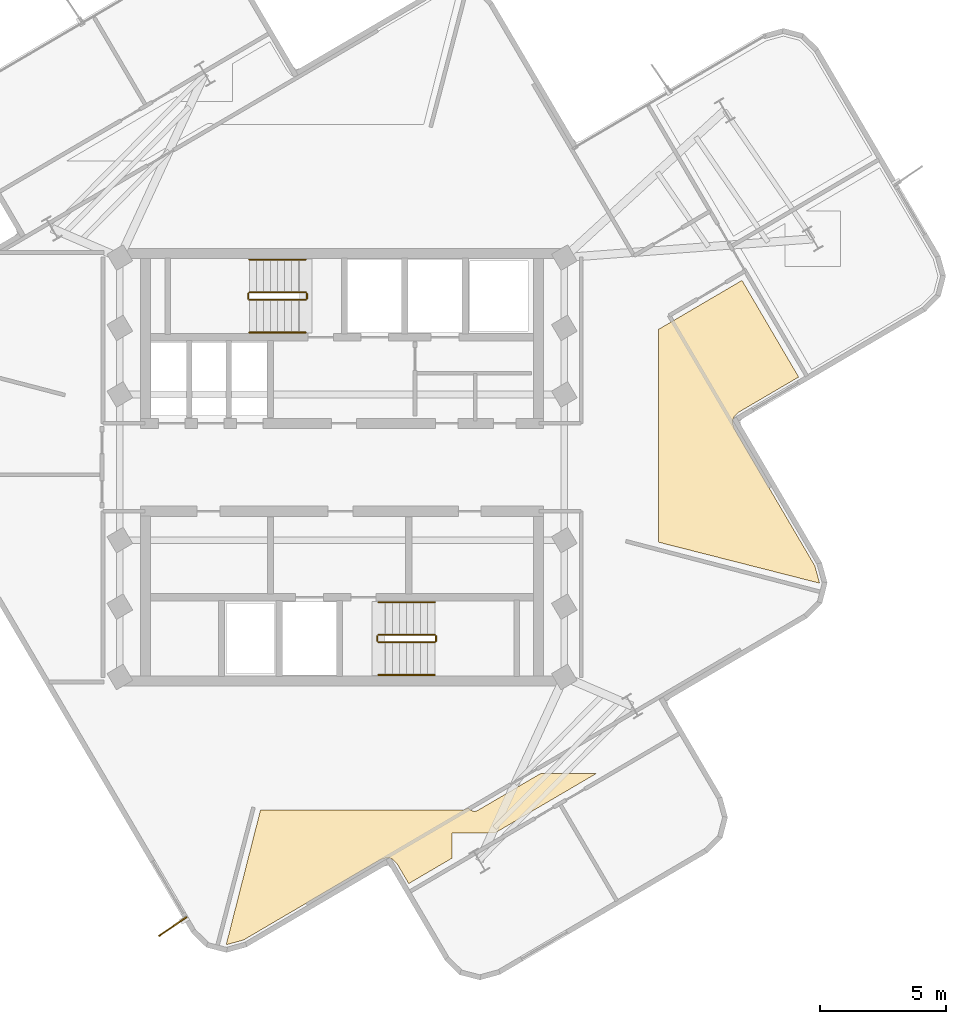
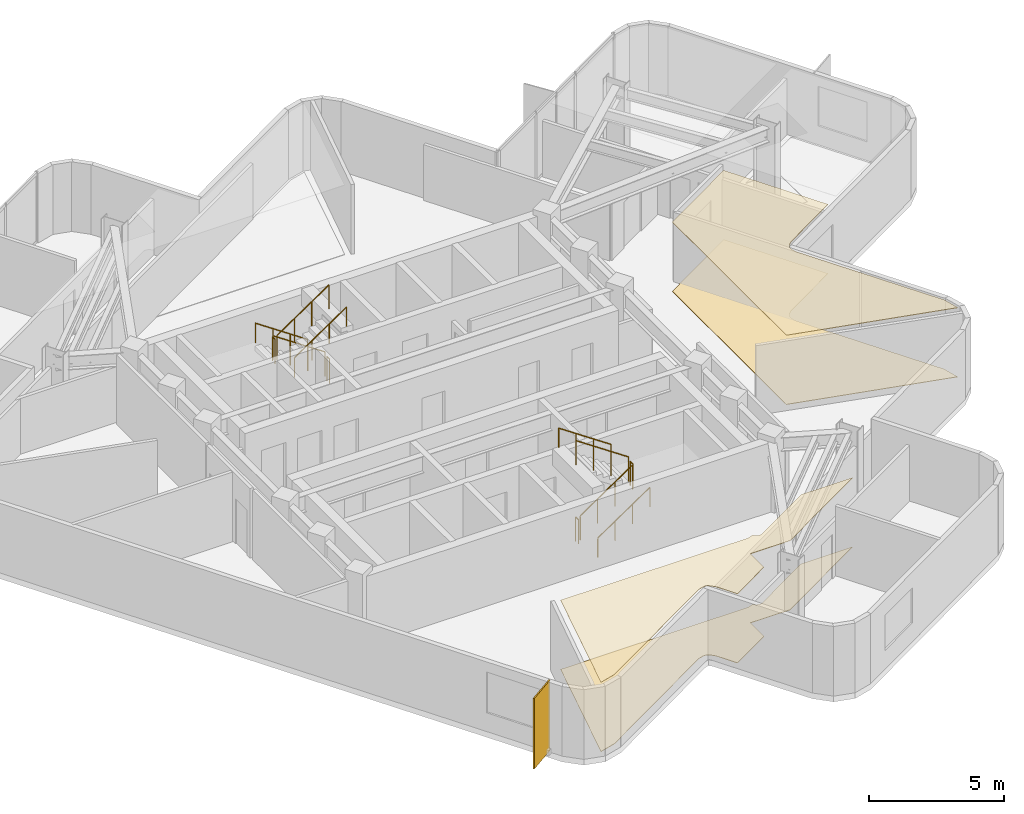
# One storey, part 7 of 8: 12 railings, 4 coverings, 1 shading device.
"""IFC4 building model written with IfcOpenShell, lengths in metres."""

from ifc_helpers import new_model, si_unit, direction, frame, origin, origin_2d, place, context, subcontext, project, spatial, polyline, rectangle, circle, outline, extrude, material, layer, layer_set, type_object, element, save


model = new_model("IFC4")

# Units and contexts
model_context = context("Model", 3, precision=1e-05, world=origin(), true_north=direction((0.0, 1.0)))
body_context = subcontext(model_context, "Body", "Model", "MODEL_VIEW")
ifc_project = project(units=[si_unit("LENGTHUNIT", "METRE"), si_unit("AREAUNIT", "SQUARE_METRE"), si_unit("VOLUMEUNIT", "CUBIC_METRE"), si_unit("PLANEANGLEUNIT", "RADIAN"), si_unit("MASSUNIT", "GRAM", prefix="KILO")], contexts=[model_context])

# Site, building, storey
site_placement = place(None, origin())
site = spatial("IfcSite", under=ifc_project, at=site_placement, CompositionType="ELEMENT")
building_placement = place(site_placement, origin())
building = spatial("IfcBuilding", under=site, at=building_placement, Name="Solmarez Civic Tower", CompositionType="ELEMENT")
storey_placement = place(building_placement, frame((0.0, 0.0, 212.0400390625)))
storey = spatial("IfcBuildingStorey", under=building, at=storey_placement, Name="L56", CompositionType="ELEMENT", Elevation=212.0400390625)

# Coverings
ifc_material_1 = material(Name="Perforated Mineral-Fibre Acoustic Ceiling")
ifc_layer_1 = layer(ifc_material_1, 0.02490234375)
ifc_layer_set_1 = layer_set([ifc_layer_1], Name="Perforated Mineral-Fibre Acoustic Ceiling")
covering_type_1 = type_object("IfcCoveringType", Name="COV-CEIL-ACOUSTIC", PredefinedType="CEILING", material=ifc_layer_set_1)
covering_1_placement = place(storey_placement, frame((0.0, 0.0, 3.135009765625)))
element("IfcCovering", 1, at=covering_1_placement, inside=storey, type_object=covering_type_1, Name="L56 Suspended Acoustic Ceiling 2", PredefinedType="CEILING", context=body_context, shape_type="SweptSolid", body=[
    extrude(outline(polyline([(5.0390625, -13.568115234375), (4.85107421875, -13.635986328125), (4.844970703125, -13.637939453125), (4.818115234375, -13.64501953125), (4.81298828125, -13.64599609375), (4.7919921875, -13.64892578125), (4.77001953125, -13.64990234375), (-3.2490234375, -13.64990234375), (-4.614013671875, -19.010986328125), (-4.60791015625, -19.011962890625), (-3.924072265625, -18.823974609375), (1.510009765625, -15.635986328125), (1.52294921875, -15.62890625), (1.534912109375, -15.623046875), (1.552978515625, -15.614990234375), (1.572998046875, -15.60791015625), (1.5810546875, -15.60595703125), (1.74609375, -15.56005859375), (1.7529296875, -15.55810546875), (1.76904296875, -15.553955078125), (1.785888671875, -15.552001953125), (1.7939453125, -15.551025390625), (1.821044921875, -15.549072265625), (1.827880859375, -15.549072265625), (1.85498046875, -15.551025390625), (1.866943359375, -15.552001953125), (1.8740234375, -15.552978515625), (1.89599609375, -15.55810546875), (1.904052734375, -15.56005859375), (1.910888671875, -15.56103515625), (1.91796875, -15.56298828125), (1.943115234375, -15.572021484375), (1.967041015625, -15.583984375), (1.97412109375, -15.587890625), (1.987060546875, -15.595947265625), (1.992919921875, -15.60009765625), (1.9990234375, -15.60400390625), (2.01806640625, -15.617919921875), (2.02392578125, -15.623046875), (2.0380859375, -15.635986328125), (2.160888671875, -15.757080078125), (2.166015625, -15.761962890625), (2.178955078125, -15.777099609375), (2.18408203125, -15.782958984375), (2.194091796875, -15.797119140625), (2.2041015625, -15.81103515625), (2.2080078125, -15.818115234375), (2.653076171875, -16.576904296875), (4.367919921875, -15.571044921875), (4.367919921875, -14.571044921875), (6.072021484375, -14.571044921875), (10.113037109375, -12.199951171875), (7.89794921875, -12.199951171875), (5.402099609375, -13.6640625), (5.3798828125, -13.675048828125), (5.37109375, -13.678955078125), (5.34912109375, -13.68798828125), (5.324951171875, -13.694091796875), (5.320068359375, -13.695068359375), (5.299072265625, -13.697998046875), (5.277099609375, -13.698974609375), (5.26708984375, -13.698974609375), (5.2451171875, -13.697998046875), (5.22412109375, -13.695068359375), (5.218994140625, -13.694091796875), (5.214111328125, -13.693115234375), (5.205078125, -13.69091796875), (5.18798828125, -13.68603515625), (5.1708984375, -13.679931640625), (5.166015625, -13.677978515625), (5.14794921875, -13.669921875), (5.131103515625, -13.660888671875), (5.123046875, -13.656005859375), (5.10302734375, -13.64111328125), (5.083984375, -13.625), (5.076904296875, -13.617919921875), (5.056884765625, -13.593994140625), (5.051025390625, -13.5859375), (5.0390625, -13.568115234375)])), origin(), (0.0, 0.0, 1.0), 0.02490234375),
])
covering_2_placement = place(storey_placement, frame((0.0, 0.0, 3.135009765625)))
element("IfcCovering", 2, at=covering_2_placement, inside=storey, type_object=covering_type_1, Name="L56 Suspended Acoustic Ceiling 3", PredefinedType="CEILING", context=body_context, shape_type="SweptSolid", body=[
    extrude(outline(polyline([(12.60009765625, 5.490966796875), (12.60009765625, -2.98193359375), (19.010986328125, -4.614013671875), (19.011962890625, -4.60791015625), (18.823974609375, -3.924072265625), (15.635986328125, 1.510009765625), (15.62890625, 1.52294921875), (15.623046875, 1.534912109375), (15.614990234375, 1.552978515625), (15.60791015625, 1.572998046875), (15.60595703125, 1.5810546875), (15.56005859375, 1.74609375), (15.55810546875, 1.7529296875), (15.553955078125, 1.76904296875), (15.552001953125, 1.785888671875), (15.551025390625, 1.7939453125), (15.549072265625, 1.821044921875), (15.549072265625, 1.827880859375), (15.551025390625, 1.85498046875), (15.552001953125, 1.866943359375), (15.552978515625, 1.8740234375), (15.55810546875, 1.89599609375), (15.56005859375, 1.904052734375), (15.56103515625, 1.910888671875), (15.56298828125, 1.91796875), (15.572021484375, 1.943115234375), (15.583984375, 1.967041015625), (15.587890625, 1.97412109375), (15.595947265625, 1.987060546875), (15.60009765625, 1.992919921875), (15.60400390625, 1.9990234375), (15.617919921875, 2.01806640625), (15.623046875, 2.02392578125), (15.635986328125, 2.0380859375), (15.757080078125, 2.160888671875), (15.761962890625, 2.166015625), (15.777099609375, 2.178955078125), (15.782958984375, 2.18408203125), (15.797119140625, 2.194091796875), (15.81103515625, 2.2041015625), (15.818115234375, 2.2080078125), (18.180908203125, 3.593994140625), (15.924072265625, 7.44091796875), (12.60009765625, 5.490966796875)])), origin(), (0.0, 0.0, 1.0), 0.02490234375),
])
ifc_material_2 = material(Name="Polished Tropical Stone Terrazzo Flooring", Category="masonry")
ifc_layer_2 = layer(ifc_material_2, 0.02001953125)
ifc_layer_set_2 = layer_set([ifc_layer_2], Name="Polished Tropical Stone Terrazzo Flooring")
covering_type_2 = type_object("IfcCoveringType", Name="COV-FLOOR-TERRAZZO", PredefinedType="FLOORING", material=ifc_layer_set_2)
covering_3_placement = place(storey_placement, origin())
element("IfcCovering", 3, at=covering_3_placement, inside=storey, type_object=covering_type_2, Name="L56 Terrazzo Floor Finish 2", PredefinedType="FLOORING", context=body_context, shape_type="SweptSolid", body=[
    extrude(outline(polyline([(5.0390625, -13.568115234375), (4.85107421875, -13.635986328125), (4.844970703125, -13.637939453125), (4.818115234375, -13.64501953125), (4.81298828125, -13.64599609375), (4.7919921875, -13.64892578125), (4.77001953125, -13.64990234375), (-3.2490234375, -13.64990234375), (-4.614013671875, -19.010986328125), (-4.60791015625, -19.011962890625), (-3.924072265625, -18.823974609375), (1.510009765625, -15.635986328125), (1.52294921875, -15.62890625), (1.534912109375, -15.623046875), (1.552978515625, -15.614990234375), (1.572998046875, -15.60791015625), (1.5810546875, -15.60595703125), (1.74609375, -15.56005859375), (1.7529296875, -15.55810546875), (1.76904296875, -15.553955078125), (1.785888671875, -15.552001953125), (1.7939453125, -15.551025390625), (1.821044921875, -15.549072265625), (1.827880859375, -15.549072265625), (1.85498046875, -15.551025390625), (1.866943359375, -15.552001953125), (1.8740234375, -15.552978515625), (1.89599609375, -15.55810546875), (1.904052734375, -15.56005859375), (1.910888671875, -15.56103515625), (1.91796875, -15.56298828125), (1.943115234375, -15.572021484375), (1.967041015625, -15.583984375), (1.97412109375, -15.587890625), (1.987060546875, -15.595947265625), (1.992919921875, -15.60009765625), (1.9990234375, -15.60400390625), (2.01806640625, -15.617919921875), (2.02392578125, -15.623046875), (2.0380859375, -15.635986328125), (2.160888671875, -15.757080078125), (2.166015625, -15.761962890625), (2.178955078125, -15.777099609375), (2.18408203125, -15.782958984375), (2.194091796875, -15.797119140625), (2.2041015625, -15.81103515625), (2.2080078125, -15.818115234375), (2.653076171875, -16.576904296875), (4.367919921875, -15.571044921875), (4.367919921875, -14.571044921875), (6.072021484375, -14.571044921875), (10.113037109375, -12.199951171875), (7.89794921875, -12.199951171875), (5.402099609375, -13.6640625), (5.3798828125, -13.675048828125), (5.37109375, -13.678955078125), (5.34912109375, -13.68798828125), (5.324951171875, -13.694091796875), (5.320068359375, -13.695068359375), (5.299072265625, -13.697998046875), (5.277099609375, -13.698974609375), (5.26708984375, -13.698974609375), (5.2451171875, -13.697998046875), (5.22412109375, -13.695068359375), (5.218994140625, -13.694091796875), (5.214111328125, -13.693115234375), (5.205078125, -13.69091796875), (5.18798828125, -13.68603515625), (5.1708984375, -13.679931640625), (5.166015625, -13.677978515625), (5.14794921875, -13.669921875), (5.131103515625, -13.660888671875), (5.123046875, -13.656005859375), (5.10302734375, -13.64111328125), (5.083984375, -13.625), (5.076904296875, -13.617919921875), (5.056884765625, -13.593994140625), (5.051025390625, -13.5859375), (5.0390625, -13.568115234375)])), origin(), (0.0, 0.0, 1.0), 0.02001953125),
])
covering_4_placement = place(storey_placement, origin())
element("IfcCovering", 4, at=covering_4_placement, inside=storey, type_object=covering_type_2, Name="L56 Terrazzo Floor Finish 3", PredefinedType="FLOORING", context=body_context, shape_type="SweptSolid", body=[
    extrude(outline(polyline([(12.60009765625, 5.490966796875), (12.60009765625, -2.98193359375), (19.010986328125, -4.614013671875), (19.011962890625, -4.60791015625), (18.823974609375, -3.924072265625), (15.635986328125, 1.510009765625), (15.62890625, 1.52294921875), (15.623046875, 1.534912109375), (15.614990234375, 1.552978515625), (15.60791015625, 1.572998046875), (15.60595703125, 1.5810546875), (15.56005859375, 1.74609375), (15.55810546875, 1.7529296875), (15.553955078125, 1.76904296875), (15.552001953125, 1.785888671875), (15.551025390625, 1.7939453125), (15.549072265625, 1.821044921875), (15.549072265625, 1.827880859375), (15.551025390625, 1.85498046875), (15.552001953125, 1.866943359375), (15.552978515625, 1.8740234375), (15.55810546875, 1.89599609375), (15.56005859375, 1.904052734375), (15.56103515625, 1.910888671875), (15.56298828125, 1.91796875), (15.572021484375, 1.943115234375), (15.583984375, 1.967041015625), (15.587890625, 1.97412109375), (15.595947265625, 1.987060546875), (15.60009765625, 1.992919921875), (15.60400390625, 1.9990234375), (15.617919921875, 2.01806640625), (15.623046875, 2.02392578125), (15.635986328125, 2.0380859375), (15.757080078125, 2.160888671875), (15.761962890625, 2.166015625), (15.777099609375, 2.178955078125), (15.782958984375, 2.18408203125), (15.797119140625, 2.194091796875), (15.81103515625, 2.2041015625), (15.818115234375, 2.2080078125), (18.180908203125, 3.593994140625), (15.924072265625, 7.44091796875), (12.60009765625, 5.490966796875)])), origin(), (0.0, 0.0, 1.0), 0.02001953125),
])

# Shading device
ifc_material_3 = material(Name="Bronze Anodised Aluminium EN AW-6063 T6", Category="aluminium")
ifc_layer_3 = layer(ifc_material_3, 0.054931640625)
ifc_layer_set_3 = layer_set([ifc_layer_3], Name="Bronze Anodised Aluminium EN AW-6063 T6")
shading_device_type = type_object("IfcShadingDeviceType", Name="FIN-BRONZE-Z56", PredefinedType="USERDEFINED", material=ifc_layer_set_3)
shading_device_placement = place(storey_placement, frame((-6.7470703125, -18.291015625, -0.0400390625), z_axis=(0.0, 0.0, 1.0), x_axis=(-0.826579926202, -0.562819354322, 0.0)))
element("IfcShadingDevice", 5, at=shading_device_placement, inside=storey, type_object=shading_device_type, Name="L56 Anodised Bronze Solar Fin FIN-L56-01", ObjectType="FIN", PredefinedType="USERDEFINED", context=body_context, shape_type="SweptSolid", body=[
    extrude(rectangle(XDim=1.35009765625, YDim=0.054931640625, at=origin_2d()), origin(), (0.0, 0.0, 1.0), 3.199951171875),
])

# Railings
ifc_material_4 = material(Name="Painted Steel Stairwell Safety Guard", Category="steel")
railing_type_1 = type_object("IfcRailingType", Name="GUARD-STAIR-1120", PredefinedType="BALUSTRADE", material=ifc_material_4)
railing_1_placement = place(storey_placement, frame((-1.449951171875, 6.969970703125, 0.18994140625)))
element("IfcRailing", 6, at=railing_1_placement, inside=storey, type_object=railing_type_1, Name="L56 ST-1 stair guard 1", PredefinedType="BALUSTRADE", context=body_context, shape_type="SweptSolid", body=[
    extrude(circle(Radius=0.02392578125, at=origin_2d()), frame((0.0, 0.0, 1.09619140625), z_axis=(-0.827471284677, 0.0, 0.561508034703), x_axis=(0.0, -1.0, 0.0)), (0.0, 0.0, 1.0), 2.70703125),
    extrude(circle(Radius=0.02099609375, at=origin_2d()), origin(), (0.0, 0.0, 1.0), 1.072021484375),
    extrude(circle(Radius=0.02099609375, at=origin_2d()), frame((-0.74658203125, 0.0, 0.506591796875)), (0.0, 0.0, 1.0), 1.072021484375),
    extrude(circle(Radius=0.02099609375, at=origin_2d()), frame((-1.493408203125, 0.0, 1.013427734375)), (0.0, 0.0, 1.0), 1.072021484375),
    extrude(circle(Radius=0.02099609375, at=origin_2d()), frame((-2.239990234375, 0.0, 1.52001953125)), (0.0, 0.0, 1.0), 1.072021484375),
])
railing_2_placement = place(storey_placement, frame((-3.739990234375, 6.919921875, 1.7099609375)))
element("IfcRailing", 7, at=railing_2_placement, inside=storey, type_object=railing_type_1, Name="L56 ST-1 stair guard 2", PredefinedType="BALUSTRADE", context=body_context, shape_type="SweptSolid", body=[
    extrude(circle(Radius=0.02392578125, at=origin_2d()), frame((0.0, 0.0, 1.09619140625), z_axis=(0.0, -1.0, 0.0), x_axis=(1.0, 0.0, 0.0)), (0.0, 0.0, 1.0), 0.199951171875),
    extrude(circle(Radius=0.02099609375, at=origin_2d()), origin(), (0.0, 0.0, 1.0), 1.072021484375),
    extrude(circle(Radius=0.02099609375, at=origin_2d()), frame((0.0, -0.199951171875, 0.0)), (0.0, 0.0, 1.0), 1.072021484375),
])
railing_3_placement = place(storey_placement, frame((-3.68994140625, 6.669921875, 1.89990234375)))
element("IfcRailing", 8, at=railing_3_placement, inside=storey, type_object=railing_type_1, Name="L56 ST-1 stair guard 3", PredefinedType="BALUSTRADE", context=body_context, shape_type="SweptSolid", body=[
    extrude(circle(Radius=0.02392578125, at=origin_2d()), frame((0.0, 0.0, 1.09619140625), z_axis=(0.827471284677, 0.0, 0.561508034703), x_axis=(0.0, 1.0, 0.0)), (0.0, 0.0, 1.0), 2.70703125),
    extrude(circle(Radius=0.02099609375, at=origin_2d()), origin(), (0.0, 0.0, 1.0), 1.072021484375),
    extrude(circle(Radius=0.02099609375, at=origin_2d()), frame((0.74658203125, 0.0, 0.506591796875)), (0.0, 0.0, 1.0), 1.072021484375),
    extrude(circle(Radius=0.02099609375, at=origin_2d()), frame((1.493408203125, 0.0, 1.013427734375)), (0.0, 0.0, 1.0), 1.072021484375),
    extrude(circle(Radius=0.02099609375, at=origin_2d()), frame((2.239990234375, 0.0, 1.52001953125)), (0.0, 0.0, 1.0), 1.072021484375),
])
railing_4_placement = place(storey_placement, frame((-1.39990234375, 6.919921875, 0.0)))
element("IfcRailing", 9, at=railing_4_placement, inside=storey, type_object=railing_type_1, Name="L56 ST-1 stair guard 4", PredefinedType="BALUSTRADE", context=body_context, shape_type="SweptSolid", body=[
    extrude(circle(Radius=0.02392578125, at=origin_2d()), frame((0.0, 0.0, 1.09619140625), z_axis=(0.0, -1.0, 0.0), x_axis=(1.0, 0.0, 0.0)), (0.0, 0.0, 1.0), 0.199951171875),
    extrude(circle(Radius=0.02099609375, at=origin_2d()), origin(), (0.0, 0.0, 1.0), 1.072021484375),
    extrude(circle(Radius=0.02099609375, at=origin_2d()), frame((0.0, -0.199951171875, 0.0)), (0.0, 0.0, 1.0), 1.072021484375),
])
railing_5_placement = place(storey_placement, frame((1.449951171875, -6.969970703125, 0.18994140625)))
element("IfcRailing", 10, at=railing_5_placement, inside=storey, type_object=railing_type_1, Name="L56 ST-2 stair guard 1", PredefinedType="BALUSTRADE", context=body_context, shape_type="SweptSolid", body=[
    extrude(circle(Radius=0.02392578125, at=origin_2d()), frame((0.0, 0.0, 1.09619140625), z_axis=(0.827471284677, 0.0, 0.561508034703), x_axis=(0.0, 1.0, 0.0)), (0.0, 0.0, 1.0), 2.70703125),
    extrude(circle(Radius=0.02099609375, at=origin_2d()), origin(), (0.0, 0.0, 1.0), 1.072021484375),
    extrude(circle(Radius=0.02099609375, at=origin_2d()), frame((0.74658203125, 0.0, 0.506591796875)), (0.0, 0.0, 1.0), 1.072021484375),
    extrude(circle(Radius=0.02099609375, at=origin_2d()), frame((1.493408203125, 0.0, 1.013427734375)), (0.0, 0.0, 1.0), 1.072021484375),
    extrude(circle(Radius=0.02099609375, at=origin_2d()), frame((2.239990234375, 0.0, 1.52001953125)), (0.0, 0.0, 1.0), 1.072021484375),
])
railing_6_placement = place(storey_placement, frame((3.739990234375, -6.919921875, 1.7099609375)))
element("IfcRailing", 11, at=railing_6_placement, inside=storey, type_object=railing_type_1, Name="L56 ST-2 stair guard 2", PredefinedType="BALUSTRADE", context=body_context, shape_type="SweptSolid", body=[
    extrude(circle(Radius=0.02392578125, at=origin_2d()), frame((0.0, 0.0, 1.09619140625), z_axis=(0.0, 1.0, 0.0), x_axis=(-1.0, 0.0, 0.0)), (0.0, 0.0, 1.0), 0.199951171875),
    extrude(circle(Radius=0.02099609375, at=origin_2d()), origin(), (0.0, 0.0, 1.0), 1.072021484375),
    extrude(circle(Radius=0.02099609375, at=origin_2d()), frame((0.0, 0.199951171875, 0.0)), (0.0, 0.0, 1.0), 1.072021484375),
])
railing_7_placement = place(storey_placement, frame((3.68994140625, -6.669921875, 1.89990234375)))
element("IfcRailing", 12, at=railing_7_placement, inside=storey, type_object=railing_type_1, Name="L56 ST-2 stair guard 3", PredefinedType="BALUSTRADE", context=body_context, shape_type="SweptSolid", body=[
    extrude(circle(Radius=0.02392578125, at=origin_2d()), frame((0.0, 0.0, 1.09619140625), z_axis=(-0.827471284677, 0.0, 0.561508034703), x_axis=(0.0, -1.0, 0.0)), (0.0, 0.0, 1.0), 2.70703125),
    extrude(circle(Radius=0.02099609375, at=origin_2d()), origin(), (0.0, 0.0, 1.0), 1.072021484375),
    extrude(circle(Radius=0.02099609375, at=origin_2d()), frame((-0.74658203125, 0.0, 0.506591796875)), (0.0, 0.0, 1.0), 1.072021484375),
    extrude(circle(Radius=0.02099609375, at=origin_2d()), frame((-1.493408203125, 0.0, 1.013427734375)), (0.0, 0.0, 1.0), 1.072021484375),
    extrude(circle(Radius=0.02099609375, at=origin_2d()), frame((-2.239990234375, 0.0, 1.52001953125)), (0.0, 0.0, 1.0), 1.072021484375),
])
railing_8_placement = place(storey_placement, frame((1.39990234375, -6.919921875, 0.0)))
element("IfcRailing", 13, at=railing_8_placement, inside=storey, type_object=railing_type_1, Name="L56 ST-2 stair guard 4", PredefinedType="BALUSTRADE", context=body_context, shape_type="SweptSolid", body=[
    extrude(circle(Radius=0.02392578125, at=origin_2d()), frame((0.0, 0.0, 1.09619140625), z_axis=(0.0, 1.0, 0.0), x_axis=(-1.0, 0.0, 0.0)), (0.0, 0.0, 1.0), 0.199951171875),
    extrude(circle(Radius=0.02099609375, at=origin_2d()), origin(), (0.0, 0.0, 1.0), 1.072021484375),
    extrude(circle(Radius=0.02099609375, at=origin_2d()), frame((0.0, 0.199951171875, 0.0)), (0.0, 0.0, 1.0), 1.072021484375),
])
ifc_material_5 = material(Name="Brushed Stainless Steel Tube Handrail", Category="steel")
railing_type_2 = type_object("IfcRailingType", Name="HANDRAIL-STAIR-900", PredefinedType="HANDRAIL", material=ifc_material_5)
railing_9_placement = place(storey_placement, frame((-1.449951171875, 8.27001953125, 0.18994140625)))
element("IfcRailing", 14, at=railing_9_placement, inside=storey, type_object=railing_type_2, Name="L56 ST-1 stair handrail 1", PredefinedType="HANDRAIL", context=body_context, shape_type="SweptSolid", body=[
    extrude(circle(Radius=0.02392578125, at=origin_2d()), frame((0.0, 0.0, 0.8759765625), z_axis=(-0.827471284677, 0.0, 0.561508034703), x_axis=(0.0, -1.0, 0.0)), (0.0, 0.0, 1.0), 2.70703125),
    extrude(circle(Radius=0.02099609375, at=origin_2d()), origin(), (0.0, 0.0, 1.0), 0.851806640625),
    extrude(circle(Radius=0.02099609375, at=origin_2d()), frame((-0.74658203125, 0.0, 0.506591796875)), (0.0, 0.0, 1.0), 0.851806640625),
    extrude(circle(Radius=0.02099609375, at=origin_2d()), frame((-1.493408203125, 0.0, 1.013427734375)), (0.0, 0.0, 1.0), 0.851806640625),
    extrude(circle(Radius=0.02099609375, at=origin_2d()), frame((-2.239990234375, 0.0, 1.52001953125)), (0.0, 0.0, 1.0), 0.851806640625),
])
for number, where, name in (
    (15, (-3.68994140625, 5.3701171875, 1.89990234375), "L56 ST-1 stair handrail 2"),
    (16, (1.449951171875, -8.27001953125, 0.18994140625), "L56 ST-2 stair handrail 1"),
):
    element("IfcRailing", number, at=place(storey_placement, frame(where)), inside=storey, type_object=railing_type_2, Name=name, PredefinedType="HANDRAIL", context=body_context, shape_type="SweptSolid", body=[
        extrude(circle(Radius=0.02392578125, at=origin_2d()), frame((0.0, 0.0, 0.8759765625), z_axis=(0.827471284677, 0.0, 0.561508034703), x_axis=(0.0, 1.0, 0.0)), (0.0, 0.0, 1.0), 2.70703125),
        extrude(circle(Radius=0.02099609375, at=origin_2d()), origin(), (0.0, 0.0, 1.0), 0.851806640625),
        extrude(circle(Radius=0.02099609375, at=origin_2d()), frame((0.74658203125, 0.0, 0.506591796875)), (0.0, 0.0, 1.0), 0.851806640625),
        extrude(circle(Radius=0.02099609375, at=origin_2d()), frame((1.493408203125, 0.0, 1.013427734375)), (0.0, 0.0, 1.0), 0.851806640625),
        extrude(circle(Radius=0.02099609375, at=origin_2d()), frame((2.239990234375, 0.0, 1.52001953125)), (0.0, 0.0, 1.0), 0.851806640625),
    ])
railing_10_placement = place(storey_placement, frame((3.68994140625, -5.3701171875, 1.89990234375)))
element("IfcRailing", 17, at=railing_10_placement, inside=storey, type_object=railing_type_2, Name="L56 ST-2 stair handrail 2", PredefinedType="HANDRAIL", context=body_context, shape_type="SweptSolid", body=[
    extrude(circle(Radius=0.02392578125, at=origin_2d()), frame((0.0, 0.0, 0.8759765625), z_axis=(-0.827471284677, 0.0, 0.561508034703), x_axis=(0.0, -1.0, 0.0)), (0.0, 0.0, 1.0), 2.70703125),
    extrude(circle(Radius=0.02099609375, at=origin_2d()), origin(), (0.0, 0.0, 1.0), 0.851806640625),
    extrude(circle(Radius=0.02099609375, at=origin_2d()), frame((-0.74658203125, 0.0, 0.506591796875)), (0.0, 0.0, 1.0), 0.851806640625),
    extrude(circle(Radius=0.02099609375, at=origin_2d()), frame((-1.493408203125, 0.0, 1.013427734375)), (0.0, 0.0, 1.0), 0.851806640625),
    extrude(circle(Radius=0.02099609375, at=origin_2d()), frame((-2.239990234375, 0.0, 1.52001953125)), (0.0, 0.0, 1.0), 0.851806640625),
])

save(model, "model.ifc")
